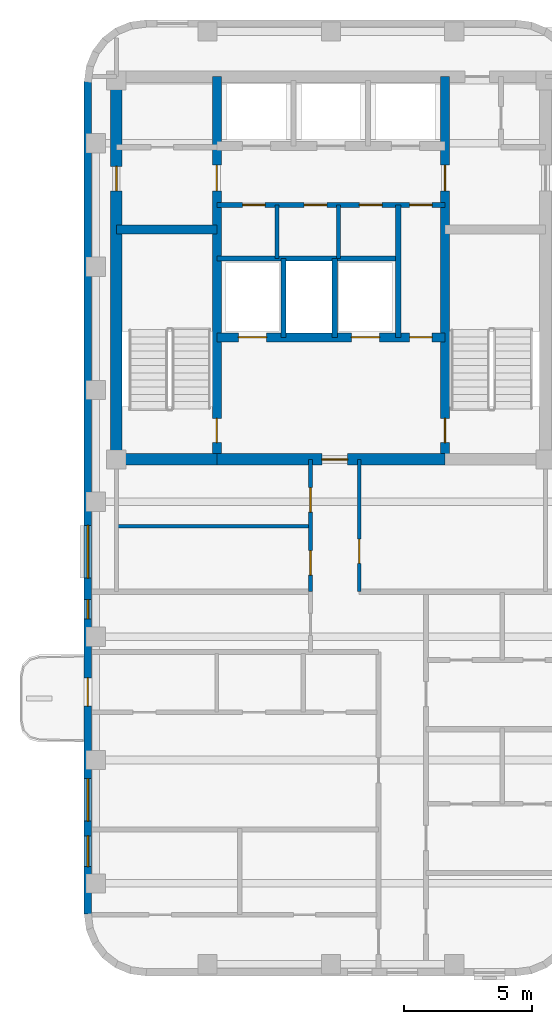
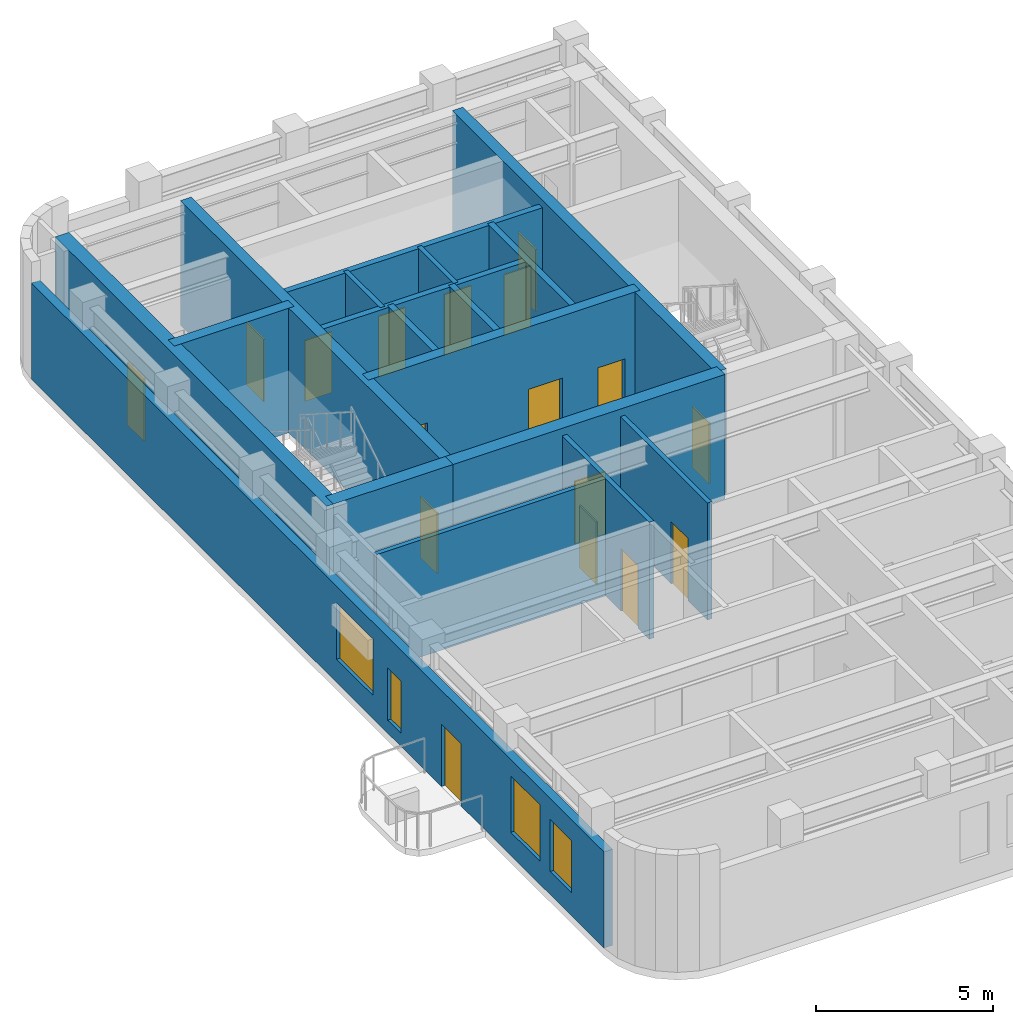
# One storey, part 3 of 7: 18 walls, 17 doors, 4 windows, 21 openings.
"""IFC4 building model written with IfcOpenShell, lengths in metres."""

from ifc_helpers import new_model, si_unit, direction, frame, frame_2d, origin, place, context, subcontext, project, spatial, rectangle, extrude, material, layer, layer_set, type_object, element, fill, save


model = new_model("IFC4")

# Units and contexts
model_context = context("Model", 3, precision=1e-05, world=origin(), true_north=direction((0.0, 1.0)))
body_context = subcontext(model_context, "Body", "Model", "MODEL_VIEW")
ifc_project = project(units=[si_unit("LENGTHUNIT", "METRE"), si_unit("AREAUNIT", "SQUARE_METRE"), si_unit("VOLUMEUNIT", "CUBIC_METRE"), si_unit("PLANEANGLEUNIT", "RADIAN"), si_unit("MASSUNIT", "GRAM", prefix="KILO")], contexts=[model_context])

# Site, building, storey
site_placement = place(None, origin())
site = spatial("IfcSite", under=ifc_project, at=site_placement, CompositionType="ELEMENT")
building_placement = place(site_placement, origin())
building = spatial("IfcBuilding", under=site, at=building_placement, Name="Orvandelia Arch Residences", CompositionType="ELEMENT")
storey_placement = place(building_placement, frame((0.0, 0.0, 269.89990234375)))
storey = spatial("IfcBuildingStorey", under=building, at=storey_placement, Name="L70", CompositionType="ELEMENT", Elevation=269.89990234375)

# Wall, openings, doors
ifc_material_1 = material(Name="Concrete C50/60", Category="concrete")
ifc_layer_1 = layer(ifc_material_1, 0.35009765625, Name="Concrete C50/60", Category="concrete")
ifc_layer_set_1 = layer_set([ifc_layer_1], Name="Concrete C50/60")
wall_type_1 = type_object("IfcWallType", Name="WL-CORE-350", PredefinedType="SHEAR", material=ifc_layer_set_1)
wall_1_placement = place(storey_placement, frame((9.9599609375, 30.89990234375, 0.0), z_axis=(0.0, 0.0, 1.0), x_axis=(0.0, 1.0, 0.0)))
wall_1 = element("IfcWall", 1, at=wall_1_placement, inside=storey, type_object=wall_type_1, Name="Core Shear Wall L70-WEB1", PredefinedType="SHEAR", context=body_context, shape_type="SweptSolid", body=[
    extrude(rectangle(XDim=14.900146484375, YDim=0.35009765625, at=frame_2d((7.4501953125, 0.0))), origin(), (0.0, 0.0, 1.0), 4.300048828125),
])
opening_1_placement = place(wall_1_placement, frame((0.64990234375, 0.0, 0.0)))
opening_1 = element("IfcOpeningElement", 2, at=opening_1_placement, cuts=wall_1, Name="Opening D7", PredefinedType="OPENING", context=body_context, shape_type="SweptSolid", body=[
    extrude(rectangle(XDim=0.949951171875, YDim=2.10009765625, at=frame_2d((0.47509765625, 1.050048828125))), frame((0.0, 0.18505859375, 0.0), z_axis=(0.0, -1.0, 0.0), x_axis=(1.0, 0.0, 0.0)), (0.0, 0.0, 1.0), 0.3701171875),
])
opening_2_placement = place(wall_1_placement, frame((10.449951171875, 0.0, 0.0)))
opening_2 = element("IfcOpeningElement", 3, at=opening_2_placement, cuts=wall_1, Name="Opening D6", PredefinedType="OPENING", context=body_context, shape_type="SweptSolid", body=[
    extrude(rectangle(XDim=1.0, YDim=2.14990234375, at=frame_2d((0.5, 1.074951171875))), frame((0.0, 0.18505859375, 0.0), z_axis=(0.0, -1.0, 0.0), x_axis=(1.0, 0.0, 0.0)), (0.0, 0.0, 1.0), 0.3701171875),
])
ifc_material_2 = material(Name="Smokeproof Painted Steel Fire Door", Category="steel")
door_type_1 = type_object("IfcDoorType", Name="DR-FD60-1000", OperationType="NOTDEFINED", PredefinedType="DOOR", material=ifc_material_2)
door_1_placement = place(opening_2_placement, origin())
door_1 = element("IfcDoor", 4, at=door_1_placement, inside=storey, type_object=door_type_1, Name="High-Rise Lift Hall West Vestibule Door L70", OperationType="SINGLE_SWING_LEFT", OverallHeight=2.14990234375, OverallWidth=1.0, PredefinedType="DOOR", context=body_context, shape_type="SweptSolid", body=[
    extrude(rectangle(XDim=1.0, YDim=2.14990234375, at=frame_2d((0.5, 1.074951171875))), frame((0.0, 0.02490234375, 0.0), z_axis=(0.0, -1.0, 0.0), x_axis=(1.0, 0.0, 0.0)), (0.0, 0.0, 1.0), 0.050048828125),
])
fill(opening_2, door_1)
ifc_material_3 = material(Name="Pressurised Stairwell Fire Door")
door_type_2 = type_object("IfcDoorType", Name="DR-STAIR-950", OperationType="NOTDEFINED", PredefinedType="DOOR", material=ifc_material_3)
door_2_placement = place(opening_1_placement, origin())
door_2 = element("IfcDoor", 5, at=door_2_placement, inside=storey, type_object=door_type_2, Name="Stairwell ST-1 Fire Door L70", OperationType="SINGLE_SWING_LEFT", OverallHeight=2.10009765625, OverallWidth=0.949951171875, PredefinedType="DOOR", context=body_context, shape_type="SweptSolid", body=[
    extrude(rectangle(XDim=0.949951171875, YDim=2.10009765625, at=frame_2d((0.47509765625, 1.050048828125))), frame((0.0, 0.02490234375, 0.0), z_axis=(0.0, -1.0, 0.0), x_axis=(1.0, 0.0, 0.0)), (0.0, 0.0, 1.0), 0.050048828125),
])
fill(opening_1, door_2)

wall_2_placement = place(storey_placement, frame((18.840087890625, 30.89990234375, 0.0), z_axis=(0.0, 0.0, 1.0), x_axis=(0.0, 1.0, 0.0)))
wall_2 = element("IfcWall", 6, at=wall_2_placement, inside=storey, type_object=wall_type_1, Name="Core Shear Wall L70-WEB2", PredefinedType="SHEAR", context=body_context, shape_type="SweptSolid", body=[
    extrude(rectangle(XDim=14.900146484375, YDim=0.35009765625, at=frame_2d((7.4501953125, 0.0))), origin(), (0.0, 0.0, 1.0), 4.300048828125),
])
opening_3_placement = place(wall_2_placement, frame((0.64990234375, 0.0, 0.0)))
opening_3 = element("IfcOpeningElement", 7, at=opening_3_placement, cuts=wall_2, Name="Opening D7", PredefinedType="OPENING", context=body_context, shape_type="SweptSolid", body=[
    extrude(rectangle(XDim=0.949951171875, YDim=2.10009765625, at=frame_2d((0.47509765625, 1.050048828125))), frame((0.0, 0.18505859375, 0.0), z_axis=(0.0, -1.0, 0.0), x_axis=(1.0, 0.0, 0.0)), (0.0, 0.0, 1.0), 0.3701171875),
])
opening_4_placement = place(wall_2_placement, frame((10.449951171875, 0.0, 0.0)))
opening_4 = element("IfcOpeningElement", 8, at=opening_4_placement, cuts=wall_2, Name="Opening D6", PredefinedType="OPENING", context=body_context, shape_type="SweptSolid", body=[
    extrude(rectangle(XDim=1.0, YDim=2.14990234375, at=frame_2d((0.5, 1.074951171875))), frame((0.0, 0.18505859375, 0.0), z_axis=(0.0, -1.0, 0.0), x_axis=(1.0, 0.0, 0.0)), (0.0, 0.0, 1.0), 0.3701171875),
])
door_3_placement = place(opening_4_placement, origin())
door_3 = element("IfcDoor", 9, at=door_3_placement, inside=storey, type_object=door_type_1, Name="High-Rise Lift Hall East Vestibule Door L70", OperationType="SINGLE_SWING_RIGHT", OverallHeight=2.14990234375, OverallWidth=1.0, PredefinedType="DOOR", context=body_context, shape_type="SweptSolid", body=[
    extrude(rectangle(XDim=1.0, YDim=2.14990234375, at=frame_2d((0.5, 1.074951171875))), frame((0.0, 0.02490234375, 0.0), z_axis=(0.0, -1.0, 0.0), x_axis=(1.0, 0.0, 0.0)), (0.0, 0.0, 1.0), 0.050048828125),
])
fill(opening_4, door_3)
door_4_placement = place(opening_3_placement, origin())
door_4 = element("IfcDoor", 10, at=door_4_placement, inside=storey, type_object=door_type_2, Name="Stairwell ST-2 Fire Door L70", OperationType="SINGLE_SWING_RIGHT", OverallHeight=2.10009765625, OverallWidth=0.949951171875, PredefinedType="DOOR", context=body_context, shape_type="SweptSolid", body=[
    extrude(rectangle(XDim=0.949951171875, YDim=2.10009765625, at=frame_2d((0.47509765625, 1.050048828125))), frame((0.0, 0.02490234375, 0.0), z_axis=(0.0, -1.0, 0.0), x_axis=(1.0, 0.0, 0.0)), (0.0, 0.0, 1.0), 0.050048828125),
])
fill(opening_3, door_4)

# Wall
wall_3_placement = place(storey_placement, frame((6.050048828125, 39.85009765625, 0.0), z_axis=(0.0, 0.0, 1.0), x_axis=(1.0, 0.0, 0.0)))
element("IfcWall", 11, at=wall_3_placement, inside=storey, type_object=wall_type_1, Name="Core Shear Wall L70-HZ1", PredefinedType="SHEAR", context=body_context, shape_type="SweptSolid", body=[
    extrude(rectangle(XDim=3.909912109375, YDim=0.35009765625, at=frame_2d((1.955078125, 0.0))), origin(), (0.0, 0.0, 1.0), 4.300048828125),
])

# Wall, openings, doors
wall_4_placement = place(storey_placement, frame((9.9599609375, 35.64990234375, 0.0), z_axis=(0.0, 0.0, 1.0), x_axis=(1.0, 0.0, 0.0)))
wall_4 = element("IfcWall", 12, at=wall_4_placement, inside=storey, type_object=wall_type_1, Name="Core Shear Wall L70-HZ3", PredefinedType="SHEAR", context=body_context, shape_type="SweptSolid", body=[
    extrude(rectangle(XDim=8.880126953125, YDim=0.35009765625, at=frame_2d((4.43994140625, 0.0))), origin(), (0.0, 0.0, 1.0), 4.300048828125),
])
opening_5_placement = place(wall_4_placement, frame((0.840087890625, 0.0, 0.0)))
opening_5 = element("IfcOpeningElement", 13, at=opening_5_placement, cuts=wall_4, Name="Opening FLD", PredefinedType="OPENING", context=body_context, shape_type="SweptSolid", body=[
    extrude(rectangle(XDim=1.10009765625, YDim=2.14990234375, at=frame_2d((0.550048828125, 1.074951171875))), frame((0.0, 0.18505859375, 0.0), z_axis=(0.0, -1.0, 0.0), x_axis=(1.0, 0.0, 0.0)), (0.0, 0.0, 1.0), 0.3701171875),
])
opening_6_placement = place(wall_4_placement, frame((5.239990234375, 0.0, 0.0)))
opening_6 = element("IfcOpeningElement", 14, at=opening_6_placement, cuts=wall_4, Name="Opening FLD", PredefinedType="OPENING", context=body_context, shape_type="SweptSolid", body=[
    extrude(rectangle(XDim=1.10009765625, YDim=2.14990234375, at=frame_2d((0.550048828125, 1.074951171875))), frame((0.0, 0.18505859375, 0.0), z_axis=(0.0, -1.0, 0.0), x_axis=(1.0, 0.0, 0.0)), (0.0, 0.0, 1.0), 0.3701171875),
])
opening_7_placement = place(wall_4_placement, frame((7.5, 0.0, 0.0)))
opening_7 = element("IfcOpeningElement", 15, at=opening_7_placement, cuts=wall_4, Name="Opening D5", PredefinedType="OPENING", context=body_context, shape_type="SweptSolid", body=[
    extrude(rectangle(XDim=0.8798828125, YDim=2.10009765625, at=frame_2d((0.43994140625, 1.050048828125))), frame((0.0, 0.18505859375, 0.0), z_axis=(0.0, -1.0, 0.0), x_axis=(1.0, 0.0, 0.0)), (0.0, 0.0, 1.0), 0.3701171875),
])
ifc_material_4 = material(Name="Firefighting Lift Stainless Sliding Door")
door_type_3 = type_object("IfcDoorType", Name="DR-FLFT-1100", OperationType="NOTDEFINED", PredefinedType="DOOR", material=ifc_material_4)
door_5_placement = place(opening_5_placement, origin())
door_5 = element("IfcDoor", 16, at=door_5_placement, inside=storey, type_object=door_type_3, Name="Firefighting Lift Landing Door FLD-FL1-L70", OperationType="SLIDING_TO_LEFT", OverallHeight=2.14990234375, OverallWidth=1.10009765625, PredefinedType="DOOR", context=body_context, shape_type="SweptSolid", body=[
    extrude(rectangle(XDim=1.10009765625, YDim=2.14990234375, at=frame_2d((0.550048828125, 1.074951171875))), frame((0.0, 0.02490234375, 0.0), z_axis=(0.0, -1.0, 0.0), x_axis=(1.0, 0.0, 0.0)), (0.0, 0.0, 1.0), 0.050048828125),
])
fill(opening_5, door_5)
door_6_placement = place(opening_6_placement, origin())
door_6 = element("IfcDoor", 17, at=door_6_placement, inside=storey, type_object=door_type_3, Name="Firefighting Lift Landing Door FLD-FL2-L70", OperationType="SLIDING_TO_RIGHT", OverallHeight=2.14990234375, OverallWidth=1.10009765625, PredefinedType="DOOR", context=body_context, shape_type="SweptSolid", body=[
    extrude(rectangle(XDim=1.10009765625, YDim=2.14990234375, at=frame_2d((0.550048828125, 1.074951171875))), frame((0.0, 0.02490234375, 0.0), z_axis=(0.0, -1.0, 0.0), x_axis=(1.0, 0.0, 0.0)), (0.0, 0.0, 1.0), 0.050048828125),
])
fill(opening_6, door_6)
ifc_material_5 = material(Name="Painted Galvanised Steel Service Door", Category="steel")
door_type_4 = type_object("IfcDoorType", Name="DR-SRV-880", OperationType="NOTDEFINED", PredefinedType="DOOR", material=ifc_material_5)
door_7_placement = place(opening_7_placement, origin())
door_7 = element("IfcDoor", 18, at=door_7_placement, inside=storey, type_object=door_type_4, Name="Core Stairway Passage South Fire Door L70", OperationType="SINGLE_SWING_LEFT", OverallHeight=2.10009765625, OverallWidth=0.8798828125, PredefinedType="DOOR", context=body_context, shape_type="SweptSolid", body=[
    extrude(rectangle(XDim=0.8798828125, YDim=2.10009765625, at=frame_2d((0.43994140625, 1.050048828125))), frame((0.0, 0.02490234375, 0.0), z_axis=(0.0, -1.0, 0.0), x_axis=(1.0, 0.0, 0.0)), (0.0, 0.0, 1.0), 0.050048828125),
])
fill(opening_7, door_7)

# Wall, opening, door
ifc_layer_2 = layer(ifc_material_1, 0.449951171875, Name="Concrete C50/60", Category="concrete")
ifc_layer_set_2 = layer_set([ifc_layer_2], Name="Concrete C50/60")
wall_type_2 = type_object("IfcWallType", Name="WL-CORE-450", PredefinedType="SHEAR", material=ifc_layer_set_2)
wall_5_placement = place(storey_placement, frame((6.050048828125, 30.675048828125, 0.0), z_axis=(0.0, 0.0, 1.0), x_axis=(0.0, 1.0, 0.0)))
wall_5 = element("IfcWall", 19, at=wall_5_placement, inside=storey, type_object=wall_type_2, Name="Core Shear Wall L70-W", PredefinedType="SHEAR", context=body_context, shape_type="SweptSolid", body=[
    extrude(rectangle(XDim=15.349853515625, YDim=0.449951171875, at=frame_2d((7.6748046875, 0.0))), origin(), (0.0, 0.0, 1.0), 4.300048828125),
])
opening_8_placement = place(wall_5_placement, frame((10.675048828125, 0.0, 0.0)))
opening_8 = element("IfcOpeningElement", 20, at=opening_8_placement, cuts=wall_5, Name="Opening D2", PredefinedType="OPENING", context=body_context, shape_type="SweptSolid", body=[
    extrude(rectangle(XDim=0.949951171875, YDim=2.14990234375, at=frame_2d((0.47509765625, 1.074951171875))), frame((0.0, 0.23486328125, 0.0), z_axis=(0.0, -1.0, 0.0), x_axis=(1.0, 0.0, 0.0)), (0.0, 0.0, 1.0), 0.469970703125),
])
ifc_material_6 = material(Name="Solid-Core Timber Interior Fire Door", Category="wood")
door_type_5 = type_object("IfcDoorType", Name="DR-APT-950", OperationType="NOTDEFINED", PredefinedType="DOOR", material=ifc_material_6)
door_8_placement = place(opening_8_placement, origin())
door_8 = element("IfcDoor", 21, at=door_8_placement, inside=storey, type_object=door_type_5, Name="West Viewing Study Door L70", OperationType="SINGLE_SWING_RIGHT", OverallHeight=2.14990234375, OverallWidth=0.949951171875, PredefinedType="DOOR", context=body_context, shape_type="SweptSolid", body=[
    extrude(rectangle(XDim=0.949951171875, YDim=2.14990234375, at=frame_2d((0.47509765625, 1.074951171875))), frame((0.0, 0.02490234375, 0.0), z_axis=(0.0, -1.0, 0.0), x_axis=(1.0, 0.0, 0.0)), (0.0, 0.0, 1.0), 0.050048828125),
])
fill(opening_8, door_8)

# Wall
wall_6_placement = place(storey_placement, frame((6.050048828125, 30.89990234375, 0.0), z_axis=(0.0, 0.0, 1.0), x_axis=(1.0, 0.0, 0.0)))
element("IfcWall", 22, at=wall_6_placement, inside=storey, type_object=wall_type_2, Name="Core Shear Wall L70-SW", PredefinedType="SHEAR", context=body_context, shape_type="SweptSolid", body=[
    extrude(rectangle(XDim=3.909912109375, YDim=0.449951171875, at=frame_2d((1.955078125, 0.0))), origin(), (0.0, 0.0, 1.0), 4.300048828125),
])

# Wall, opening, door
wall_7_placement = place(storey_placement, frame((9.9599609375, 30.89990234375, 0.0), z_axis=(0.0, 0.0, 1.0), x_axis=(1.0, 0.0, 0.0)))
wall_7 = element("IfcWall", 23, at=wall_7_placement, inside=storey, type_object=wall_type_2, Name="Core Shear Wall L70-SM", PredefinedType="SHEAR", context=body_context, shape_type="SweptSolid", body=[
    extrude(rectangle(XDim=8.880126953125, YDim=0.449951171875, at=frame_2d((4.43994140625, 0.0))), origin(), (0.0, 0.0, 1.0), 4.300048828125),
])
opening_9_placement = place(wall_7_placement, frame((4.090087890625, 0.0, 0.0)))
opening_9 = element("IfcOpeningElement", 24, at=opening_9_placement, cuts=wall_7, Name="Opening D6", PredefinedType="OPENING", context=body_context, shape_type="SweptSolid", body=[
    extrude(rectangle(XDim=1.0, YDim=2.14990234375, at=frame_2d((0.5, 1.074951171875))), frame((0.0, 0.23486328125, 0.0), z_axis=(0.0, -1.0, 0.0), x_axis=(1.0, 0.0, 0.0)), (0.0, 0.0, 1.0), 0.469970703125),
])
door_9_placement = place(opening_9_placement, origin())
door_9 = element("IfcDoor", 25, at=door_9_placement, inside=storey, type_object=door_type_1, Name="Firefighting Lobby Smokeproof Door L70", OperationType="SINGLE_SWING_LEFT", OverallHeight=2.14990234375, OverallWidth=1.0, PredefinedType="DOOR", context=body_context, shape_type="SweptSolid", body=[
    extrude(rectangle(XDim=1.0, YDim=2.14990234375, at=frame_2d((0.5, 1.074951171875))), frame((0.0, 0.02490234375, 0.0), z_axis=(0.0, -1.0, 0.0), x_axis=(1.0, 0.0, 0.0)), (0.0, 0.0, 1.0), 0.050048828125),
])
fill(opening_9, door_9)

# Wall, openings, door, windows
ifc_material_7 = material(Name="Precast concrete C40/50", Category="concrete")
ifc_layer_3 = layer(ifc_material_7, 0.280029296875, Name="Precast concrete C40/50", Category="concrete")
ifc_layer_set_3 = layer_set([ifc_layer_3], Name="Precast concrete C40/50")
wall_type_3 = type_object("IfcWallType", Name="WL-EXT-STONE-280", PredefinedType="STANDARD", material=ifc_layer_set_3)
wall_8_placement = place(storey_placement, frame((4.93994140625, 13.199951171875, 0.0), z_axis=(0.0, 0.0, 1.0), x_axis=(0.0, 1.0, 0.0)))
wall_8 = element("IfcWall", 26, at=wall_8_placement, inside=storey, type_object=wall_type_3, Name="Coral-Limestone Precast Facade Wall L70-028", PredefinedType="STANDARD", context=body_context, shape_type="SweptSolid", body=[
    extrude(rectangle(XDim=32.400146484375, YDim=0.280029296875, at=frame_2d((16.2001953125, 0.0))), origin(), (0.0, 0.0, 1.0), 3.320068359375),
])
opening_10_placement = place(wall_8_placement, frame((8.10009765625, 0.0, 0.0)))
opening_10 = element("IfcOpeningElement", 27, at=opening_10_placement, cuts=wall_8, Name="Opening BD1", PredefinedType="OPENING", context=body_context, shape_type="SweptSolid", body=[
    extrude(rectangle(XDim=1.10009765625, YDim=2.14990234375, at=frame_2d((0.550048828125, 1.074951171875))), frame((0.0, 0.14990234375, 0.0), z_axis=(0.0, -1.0, 0.0), x_axis=(1.0, 0.0, 0.0)), (0.0, 0.0, 1.0), 0.300048828125),
])
opening_11_placement = place(wall_8_placement, frame((1.847412109375, 0.0, 0.800048828125)))
opening_11 = element("IfcOpeningElement", 28, at=opening_11_placement, cuts=wall_8, Name="Opening W3", PredefinedType="OPENING", context=body_context, shape_type="SweptSolid", body=[
    extrude(rectangle(XDim=1.199951171875, YDim=1.800048828125, at=frame_2d((0.60009765625, 0.89990234375))), frame((0.0, 0.14990234375, 0.0), z_axis=(0.0, -1.0, 0.0), x_axis=(1.0, 0.0, 0.0)), (0.0, 0.0, 1.0), 0.300048828125),
])
opening_12_placement = place(wall_8_placement, frame((3.62744140625, 0.0, 0.800048828125)))
opening_12 = element("IfcOpeningElement", 29, at=opening_12_placement, cuts=wall_8, Name="Opening W9", PredefinedType="OPENING", context=body_context, shape_type="SweptSolid", body=[
    extrude(rectangle(XDim=1.64990234375, YDim=1.949951171875, at=frame_2d((0.824951171875, 0.97509765625))), frame((0.0, 0.14990234375, 0.0), z_axis=(0.0, -1.0, 0.0), x_axis=(1.0, 0.0, 0.0)), (0.0, 0.0, 1.0), 0.300048828125),
])
opening_13_placement = place(wall_8_placement, frame((13.08251953125, 0.0, 0.800048828125)))
opening_13 = element("IfcOpeningElement", 30, at=opening_13_placement, cuts=wall_8, Name="Opening W8", PredefinedType="OPENING", context=body_context, shape_type="SweptSolid", body=[
    extrude(rectangle(XDim=2.050048828125, YDim=1.949951171875, at=frame_2d((1.02490234375, 0.97509765625))), frame((0.0, 0.14990234375, 0.0), z_axis=(0.0, -1.0, 0.0), x_axis=(1.0, 0.0, 0.0)), (0.0, 0.0, 1.0), 0.300048828125),
])
opening_14_placement = place(wall_8_placement, frame((11.492431640625, 0.0, 0.449951171875)))
opening_14 = element("IfcOpeningElement", 31, at=opening_14_placement, cuts=wall_8, Name="Opening W11", PredefinedType="OPENING", context=body_context, shape_type="SweptSolid", body=[
    extrude(rectangle(XDim=0.75, YDim=1.800048828125, at=frame_2d((0.375, 0.89990234375))), frame((0.0, 0.14990234375, 0.0), z_axis=(0.0, -1.0, 0.0), x_axis=(1.0, 0.0, 0.0)), (0.0, 0.0, 1.0), 0.300048828125),
])
ifc_material_8 = material(Name="Thermally Broken Aluminium Glazed Door", Category="aluminium")
door_type_6 = type_object("IfcDoorType", Name="DR-BAL-GLAZ-1100", OperationType="NOTDEFINED", PredefinedType="DOOR", material=ifc_material_8)
door_10_placement = place(opening_10_placement, origin())
door_10 = element("IfcDoor", 32, at=door_10_placement, inside=storey, type_object=door_type_6, Name="Tree Balcony Glazed Door BAL-L70-W1", OperationType="SINGLE_SWING_RIGHT", OverallHeight=2.14990234375, OverallWidth=1.10009765625, PredefinedType="DOOR", context=body_context, shape_type="SweptSolid", body=[
    extrude(rectangle(XDim=1.10009765625, YDim=2.14990234375, at=frame_2d((0.550048828125, 1.074951171875))), frame((0.0, 0.02490234375, 0.0), z_axis=(0.0, -1.0, 0.0), x_axis=(1.0, 0.0, 0.0)), (0.0, 0.0, 1.0), 0.050048828125),
])
fill(opening_10, door_10)
ifc_material_9 = material(Name="Tempered Low-E Insulated Glazing", Category="glass")
window_type_1 = type_object("IfcWindowType", Name="WIN-BED-0750x1800", PartitioningType="SINGLE_PANEL", PredefinedType="WINDOW", material=ifc_material_9)
window_1_placement = place(opening_14_placement, origin())
window_1 = element("IfcWindow", 33, at=window_1_placement, inside=storey, type_object=window_type_1, Name="Recessed Punched Window L70-013", OverallHeight=1.800048828125, OverallWidth=0.75, PartitioningType="SINGLE_PANEL", PredefinedType="WINDOW", context=body_context, shape_type="SweptSolid", body=[
    extrude(rectangle(XDim=0.75, YDim=1.800048828125, at=frame_2d((0.375, 0.89990234375))), frame((0.0, 0.030029296875, 0.0), z_axis=(0.0, -1.0, 0.0), x_axis=(1.0, 0.0, 0.0)), (0.0, 0.0, 1.0), 0.06005859375),
])
fill(opening_14, window_1)
window_type_2 = type_object("IfcWindowType", Name="WIN-RES-1200x1800", PartitioningType="SINGLE_PANEL", PredefinedType="WINDOW", material=ifc_material_9)
window_2_placement = place(opening_11_placement, origin())
window_2 = element("IfcWindow", 34, at=window_2_placement, inside=storey, type_object=window_type_2, Name="Recessed Punched Window L70-010", OverallHeight=1.800048828125, OverallWidth=1.199951171875, PartitioningType="SINGLE_PANEL", PredefinedType="WINDOW", context=body_context, shape_type="SweptSolid", body=[
    extrude(rectangle(XDim=1.199951171875, YDim=1.800048828125, at=frame_2d((0.60009765625, 0.89990234375))), frame((0.0, 0.030029296875, 0.0), z_axis=(0.0, -1.0, 0.0), x_axis=(1.0, 0.0, 0.0)), (0.0, 0.0, 1.0), 0.06005859375),
])
fill(opening_11, window_2)
window_type_3 = type_object("IfcWindowType", Name="WIN-UPP-1650x1950", PartitioningType="SINGLE_PANEL", PredefinedType="WINDOW", material=ifc_material_9)
window_3_placement = place(opening_12_placement, origin())
window_3 = element("IfcWindow", 35, at=window_3_placement, inside=storey, type_object=window_type_3, Name="Recessed Punched Window L70-011", OverallHeight=1.949951171875, OverallWidth=1.64990234375, PartitioningType="SINGLE_PANEL", PredefinedType="WINDOW", context=body_context, shape_type="SweptSolid", body=[
    extrude(rectangle(XDim=1.64990234375, YDim=1.949951171875, at=frame_2d((0.824951171875, 0.97509765625))), frame((0.0, 0.030029296875, 0.0), z_axis=(0.0, -1.0, 0.0), x_axis=(1.0, 0.0, 0.0)), (0.0, 0.0, 1.0), 0.06005859375),
])
fill(opening_12, window_3)
window_type_4 = type_object("IfcWindowType", Name="WIN-UPP-2050x1950", PartitioningType="SINGLE_PANEL", PredefinedType="WINDOW", material=ifc_material_9)
window_4_placement = place(opening_13_placement, origin())
window_4 = element("IfcWindow", 36, at=window_4_placement, inside=storey, type_object=window_type_4, Name="Recessed Punched Window L70-012", OverallHeight=1.949951171875, OverallWidth=2.050048828125, PartitioningType="SINGLE_PANEL", PredefinedType="WINDOW", context=body_context, shape_type="SweptSolid", body=[
    extrude(rectangle(XDim=2.050048828125, YDim=1.949951171875, at=frame_2d((1.02490234375, 0.97509765625))), frame((0.0, 0.030029296875, 0.0), z_axis=(0.0, -1.0, 0.0), x_axis=(1.0, 0.0, 0.0)), (0.0, 0.0, 1.0), 0.06005859375),
])
fill(opening_13, window_4)

# Walls
ifc_material_10 = material(Name="Acoustic Gypsum Stud Partition")
ifc_layer_4 = layer(ifc_material_10, 0.14990234375, Name="Acoustic Gypsum Stud Partition")
ifc_layer_set_4 = layer_set([ifc_layer_4], Name="Acoustic Gypsum Stud Partition")
wall_type_4 = type_object("IfcWallType", Name="WL-PART-150", PredefinedType="PARTITIONING", material=ifc_layer_set_4)
for number, where, z_axis, x_axis, name in (
    (37, (12.300048828125, 38.719970703125, 0.0), (0.0, 0.0, 1.0), (0.0, 1.0, 0.0), "Interior Partition Wall WL-L70-CSA-1"),
    (38, (14.699951171875, 38.719970703125, 0.0), (0.0, 0.0, 1.0), (0.0, 1.0, 0.0), "Interior Partition Wall WL-L70-CSA-2"),
):
    element("IfcWall", number, at=place(storey_placement, frame(where, z_axis=z_axis, x_axis=x_axis)), inside=storey, type_object=wall_type_4, Name=name, PredefinedType="PARTITIONING", context=body_context, shape_type="SweptSolid", body=[
        extrude(rectangle(XDim=2.080078125, YDim=0.14990234375, at=frame_2d((1.0400390625, 0.0))), origin(), (0.0, 0.0, 1.0), 4.0400390625),
    ])

# Wall, openings, doors
wall_9_placement = place(storey_placement, frame((13.60009765625, 25.75, 0.0), z_axis=(0.0, 0.0, 1.0), x_axis=(0.0, 1.0, 0.0)))
wall_9 = element("IfcWall", 39, at=wall_9_placement, inside=storey, type_object=wall_type_4, Name="Interior Partition Wall WL-L70-HI-W1", PredefinedType="PARTITIONING", context=body_context, shape_type="SweptSolid", body=[
    extrude(rectangle(XDim=5.14990234375, YDim=0.14990234375, at=frame_2d((2.574951171875, 0.0))), origin(), (0.0, 0.0, 1.0), 4.0400390625),
])
opening_15_placement = place(wall_9_placement, frame((0.64990234375, 0.0, 0.0)))
opening_15 = element("IfcOpeningElement", 40, at=opening_15_placement, cuts=wall_9, Name="Opening D2", PredefinedType="OPENING", context=body_context, shape_type="SweptSolid", body=[
    extrude(rectangle(XDim=0.949951171875, YDim=2.14990234375, at=frame_2d((0.47509765625, 1.074951171875))), frame((0.0, 0.0849609375, 0.0), z_axis=(0.0, -1.0, 0.0), x_axis=(1.0, 0.0, 0.0)), (0.0, 0.0, 1.0), 0.169921875),
])
opening_16_placement = place(wall_9_placement, frame((3.10009765625, 0.0, 0.0)))
opening_16 = element("IfcOpeningElement", 41, at=opening_16_placement, cuts=wall_9, Name="Opening D2", PredefinedType="OPENING", context=body_context, shape_type="SweptSolid", body=[
    extrude(rectangle(XDim=0.949951171875, YDim=2.14990234375, at=frame_2d((0.47509765625, 1.074951171875))), frame((0.0, 0.0849609375, 0.0), z_axis=(0.0, -1.0, 0.0), x_axis=(1.0, 0.0, 0.0)), (0.0, 0.0, 1.0), 0.169921875),
])
door_11_placement = place(opening_15_placement, origin())
door_11 = element("IfcDoor", 42, at=door_11_placement, inside=storey, type_object=door_type_5, Name="DR-L70-HIR1S", OperationType="SINGLE_SWING_LEFT", OverallHeight=2.14990234375, OverallWidth=0.949951171875, PredefinedType="DOOR", context=body_context, shape_type="SweptSolid", body=[
    extrude(rectangle(XDim=0.949951171875, YDim=2.14990234375, at=frame_2d((0.47509765625, 1.074951171875))), frame((0.0, 0.02490234375, 0.0), z_axis=(0.0, -1.0, 0.0), x_axis=(1.0, 0.0, 0.0)), (0.0, 0.0, 1.0), 0.050048828125),
])
fill(opening_15, door_11)
door_12_placement = place(opening_16_placement, origin())
door_12 = element("IfcDoor", 43, at=door_12_placement, inside=storey, type_object=door_type_5, Name="DR-L70-HIR1N", OperationType="SINGLE_SWING_RIGHT", OverallHeight=2.14990234375, OverallWidth=0.949951171875, PredefinedType="DOOR", context=body_context, shape_type="SweptSolid", body=[
    extrude(rectangle(XDim=0.949951171875, YDim=2.14990234375, at=frame_2d((0.47509765625, 1.074951171875))), frame((0.0, 0.02490234375, 0.0), z_axis=(0.0, -1.0, 0.0), x_axis=(1.0, 0.0, 0.0)), (0.0, 0.0, 1.0), 0.050048828125),
])
fill(opening_16, door_12)

# Wall, opening, door
wall_10_placement = place(storey_placement, frame((15.5, 25.75, 0.0), z_axis=(0.0, 0.0, 1.0), x_axis=(0.0, 1.0, 0.0)))
wall_10 = element("IfcWall", 44, at=wall_10_placement, inside=storey, type_object=wall_type_4, Name="Interior Partition Wall WL-L70-HI-W2", PredefinedType="PARTITIONING", context=body_context, shape_type="SweptSolid", body=[
    extrude(rectangle(XDim=5.14990234375, YDim=0.14990234375, at=frame_2d((2.574951171875, 0.0))), origin(), (0.0, 0.0, 1.0), 4.0400390625),
])
opening_17_placement = place(wall_10_placement, frame((1.10009765625, 0.0, 0.0)))
opening_17 = element("IfcOpeningElement", 45, at=opening_17_placement, cuts=wall_10, Name="Opening D2", PredefinedType="OPENING", context=body_context, shape_type="SweptSolid", body=[
    extrude(rectangle(XDim=0.949951171875, YDim=2.14990234375, at=frame_2d((0.47509765625, 1.074951171875))), frame((0.0, 0.0849609375, 0.0), z_axis=(0.0, -1.0, 0.0), x_axis=(1.0, 0.0, 0.0)), (0.0, 0.0, 1.0), 0.169921875),
])
door_13_placement = place(opening_17_placement, origin())
door_13 = element("IfcDoor", 46, at=door_13_placement, inside=storey, type_object=door_type_5, Name="DR-L70-HIR2", OperationType="SINGLE_SWING_RIGHT", OverallHeight=2.14990234375, OverallWidth=0.949951171875, PredefinedType="DOOR", context=body_context, shape_type="SweptSolid", body=[
    extrude(rectangle(XDim=0.949951171875, YDim=2.14990234375, at=frame_2d((0.47509765625, 1.074951171875))), frame((0.0, 0.02490234375, 0.0), z_axis=(0.0, -1.0, 0.0), x_axis=(1.0, 0.0, 0.0)), (0.0, 0.0, 1.0), 0.050048828125),
])
fill(opening_17, door_13)

# Walls
wall_11_placement = place(storey_placement, frame((6.050048828125, 28.300048828125, 0.0), z_axis=(0.0, 0.0, 1.0), x_axis=(1.0, 0.0, 0.0)))
element("IfcWall", 47, at=wall_11_placement, inside=storey, type_object=wall_type_4, Name="Interior Partition Wall WL-L70-HIR-H1", PredefinedType="PARTITIONING", context=body_context, shape_type="SweptSolid", body=[
    extrude(rectangle(XDim=7.550048828125, YDim=0.14990234375, at=frame_2d((3.77490234375, 0.0))), origin(), (0.0, 0.0, 1.0), 4.0400390625),
])
ifc_material_11 = material(Name="Fire-Rated Shaft Enclosure Wall")
ifc_layer_5 = layer(ifc_material_11, 0.199951171875, Name="Fire-Rated Shaft Enclosure Wall")
ifc_layer_set_5 = layer_set([ifc_layer_5], Name="Fire-Rated Shaft Enclosure Wall")
wall_type_5 = type_object("IfcWallType", Name="WL-SHAFT-200", PredefinedType="POLYGONAL", material=ifc_layer_set_5)
wall_12_placement = place(storey_placement, frame((9.9599609375, 38.719970703125, 0.0), z_axis=(0.0, 0.0, 1.0), x_axis=(1.0, 0.0, 0.0)))
element("IfcWall", 48, at=wall_12_placement, inside=storey, type_object=wall_type_5, Name="Interior Partition Wall WL-L70-FLN", PredefinedType="POLYGONAL", context=body_context, shape_type="SweptSolid", body=[
    extrude(rectangle(XDim=7.06005859375, YDim=0.199951171875, at=frame_2d((3.530029296875, 0.0))), origin(), (0.0, 0.0, 1.0), 4.0400390625),
])
for number, where, z_axis, x_axis, name in (
    (49, (12.550048828125, 35.64990234375, 0.0), (0.0, 0.0, 1.0), (0.0, 1.0, 0.0), "Interior Partition Wall WL-L70-FLM1"),
    (50, (14.550048828125, 35.64990234375, 0.0), (0.0, 0.0, 1.0), (0.0, 1.0, 0.0), "Interior Partition Wall WL-L70-FLM2"),
):
    element("IfcWall", number, at=place(storey_placement, frame(where, z_axis=z_axis, x_axis=x_axis)), inside=storey, type_object=wall_type_5, Name=name, PredefinedType="POLYGONAL", context=body_context, shape_type="SweptSolid", body=[
        extrude(rectangle(XDim=3.070068359375, YDim=0.199951171875, at=frame_2d((1.53515625, 0.0))), origin(), (0.0, 0.0, 1.0), 4.0400390625),
    ])
wall_13_placement = place(storey_placement, frame((17.02001953125, 35.64990234375, 0.0), z_axis=(0.0, 0.0, 1.0), x_axis=(0.0, 1.0, 0.0)))
element("IfcWall", 51, at=wall_13_placement, inside=storey, type_object=wall_type_5, Name="Interior Partition Wall WL-L70-FLM3", PredefinedType="POLYGONAL", context=body_context, shape_type="SweptSolid", body=[
    extrude(rectangle(XDim=5.150146484375, YDim=0.199951171875, at=frame_2d((2.5751953125, 0.0))), origin(), (0.0, 0.0, 1.0), 4.0400390625),
])

# Wall, openings, doors
wall_14_placement = place(storey_placement, frame((9.9599609375, 40.800048828125, 0.0), z_axis=(0.0, 0.0, 1.0), x_axis=(1.0, 0.0, 0.0)))
wall_14 = element("IfcWall", 52, at=wall_14_placement, inside=storey, type_object=wall_type_5, Name="Interior Partition Wall WL-L70-HLH-S", PredefinedType="POLYGONAL", context=body_context, shape_type="SweptSolid", body=[
    extrude(rectangle(XDim=8.880126953125, YDim=0.199951171875, at=frame_2d((4.43994140625, 0.0))), origin(), (0.0, 0.0, 1.0), 4.0400390625),
])
opening_18_placement = place(wall_14_placement, frame((7.5, 0.0, 0.0)))
opening_18 = element("IfcOpeningElement", 53, at=opening_18_placement, cuts=wall_14, Name="Opening D5", PredefinedType="OPENING", context=body_context, shape_type="SweptSolid", body=[
    extrude(rectangle(XDim=0.8798828125, YDim=2.10009765625, at=frame_2d((0.43994140625, 1.050048828125))), frame((0.0, 0.10986328125, 0.0), z_axis=(0.0, -1.0, 0.0), x_axis=(1.0, 0.0, 0.0)), (0.0, 0.0, 1.0), 0.219970703125),
])
opening_19_placement = place(wall_14_placement, frame((1.0, 0.0, 0.0)))
opening_19 = element("IfcOpeningElement", 54, at=opening_19_placement, cuts=wall_14, Name="Opening D5", PredefinedType="OPENING", context=body_context, shape_type="SweptSolid", body=[
    extrude(rectangle(XDim=0.8798828125, YDim=2.10009765625, at=frame_2d((0.43994140625, 1.050048828125))), frame((0.0, 0.10986328125, 0.0), z_axis=(0.0, -1.0, 0.0), x_axis=(1.0, 0.0, 0.0)), (0.0, 0.0, 1.0), 0.219970703125),
])
opening_20_placement = place(wall_14_placement, frame((3.39990234375, 0.0, 0.0)))
opening_20 = element("IfcOpeningElement", 55, at=opening_20_placement, cuts=wall_14, Name="Opening D5", PredefinedType="OPENING", context=body_context, shape_type="SweptSolid", body=[
    extrude(rectangle(XDim=0.8798828125, YDim=2.10009765625, at=frame_2d((0.43994140625, 1.050048828125))), frame((0.0, 0.10986328125, 0.0), z_axis=(0.0, -1.0, 0.0), x_axis=(1.0, 0.0, 0.0)), (0.0, 0.0, 1.0), 0.219970703125),
])
opening_21_placement = place(wall_14_placement, frame((5.550048828125, 0.0, 0.0)))
opening_21 = element("IfcOpeningElement", 56, at=opening_21_placement, cuts=wall_14, Name="Opening D5", PredefinedType="OPENING", context=body_context, shape_type="SweptSolid", body=[
    extrude(rectangle(XDim=0.8798828125, YDim=2.10009765625, at=frame_2d((0.43994140625, 1.050048828125))), frame((0.0, 0.10986328125, 0.0), z_axis=(0.0, -1.0, 0.0), x_axis=(1.0, 0.0, 0.0)), (0.0, 0.0, 1.0), 0.219970703125),
])
door_14_placement = place(opening_18_placement, origin())
door_14 = element("IfcDoor", 57, at=door_14_placement, inside=storey, type_object=door_type_4, Name="Core Stairway Passage North Fire Door L70", OperationType="SINGLE_SWING_RIGHT", OverallHeight=2.10009765625, OverallWidth=0.8798828125, PredefinedType="DOOR", context=body_context, shape_type="SweptSolid", body=[
    extrude(rectangle(XDim=0.8798828125, YDim=2.10009765625, at=frame_2d((0.43994140625, 1.050048828125))), frame((0.0, 0.02490234375, 0.0), z_axis=(0.0, -1.0, 0.0), x_axis=(1.0, 0.0, 0.0)), (0.0, 0.0, 1.0), 0.050048828125),
])
fill(opening_18, door_14)
door_15_placement = place(opening_19_placement, origin())
door_15 = element("IfcDoor", 58, at=door_15_placement, inside=storey, type_object=door_type_4, Name="DR-L70-CSA1", OperationType="SINGLE_SWING_LEFT", OverallHeight=2.10009765625, OverallWidth=0.8798828125, PredefinedType="DOOR", context=body_context, shape_type="SweptSolid", body=[
    extrude(rectangle(XDim=0.8798828125, YDim=2.10009765625, at=frame_2d((0.43994140625, 1.050048828125))), frame((0.0, 0.02490234375, 0.0), z_axis=(0.0, -1.0, 0.0), x_axis=(1.0, 0.0, 0.0)), (0.0, 0.0, 1.0), 0.050048828125),
])
fill(opening_19, door_15)
door_16_placement = place(opening_20_placement, origin())
door_16 = element("IfcDoor", 59, at=door_16_placement, inside=storey, type_object=door_type_4, Name="DR-L70-CSA2", OperationType="SINGLE_SWING_RIGHT", OverallHeight=2.10009765625, OverallWidth=0.8798828125, PredefinedType="DOOR", context=body_context, shape_type="SweptSolid", body=[
    extrude(rectangle(XDim=0.8798828125, YDim=2.10009765625, at=frame_2d((0.43994140625, 1.050048828125))), frame((0.0, 0.02490234375, 0.0), z_axis=(0.0, -1.0, 0.0), x_axis=(1.0, 0.0, 0.0)), (0.0, 0.0, 1.0), 0.050048828125),
])
fill(opening_20, door_16)
door_17_placement = place(opening_21_placement, origin())
door_17 = element("IfcDoor", 60, at=door_17_placement, inside=storey, type_object=door_type_4, Name="DR-L70-CSA3", OperationType="SINGLE_SWING_LEFT", OverallHeight=2.10009765625, OverallWidth=0.8798828125, PredefinedType="DOOR", context=body_context, shape_type="SweptSolid", body=[
    extrude(rectangle(XDim=0.8798828125, YDim=2.10009765625, at=frame_2d((0.43994140625, 1.050048828125))), frame((0.0, 0.02490234375, 0.0), z_axis=(0.0, -1.0, 0.0), x_axis=(1.0, 0.0, 0.0)), (0.0, 0.0, 1.0), 0.050048828125),
])
fill(opening_21, door_17)

save(model, "model.ifc")
